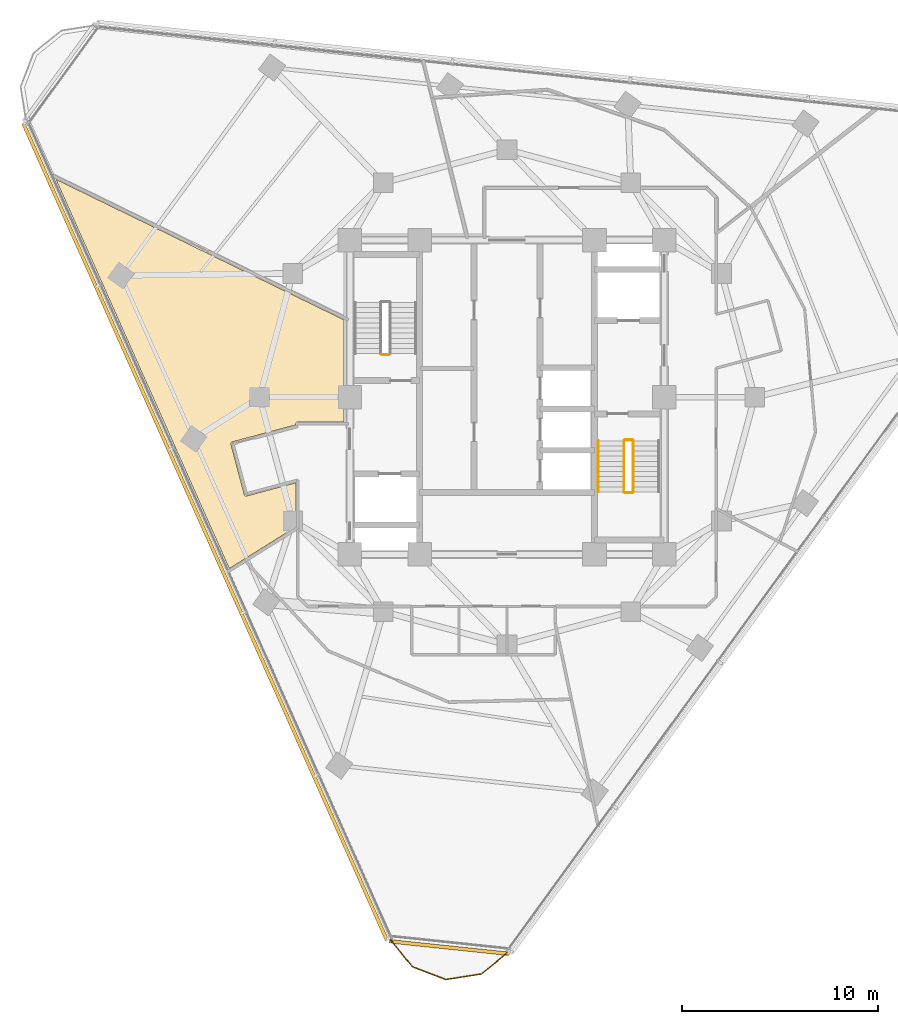
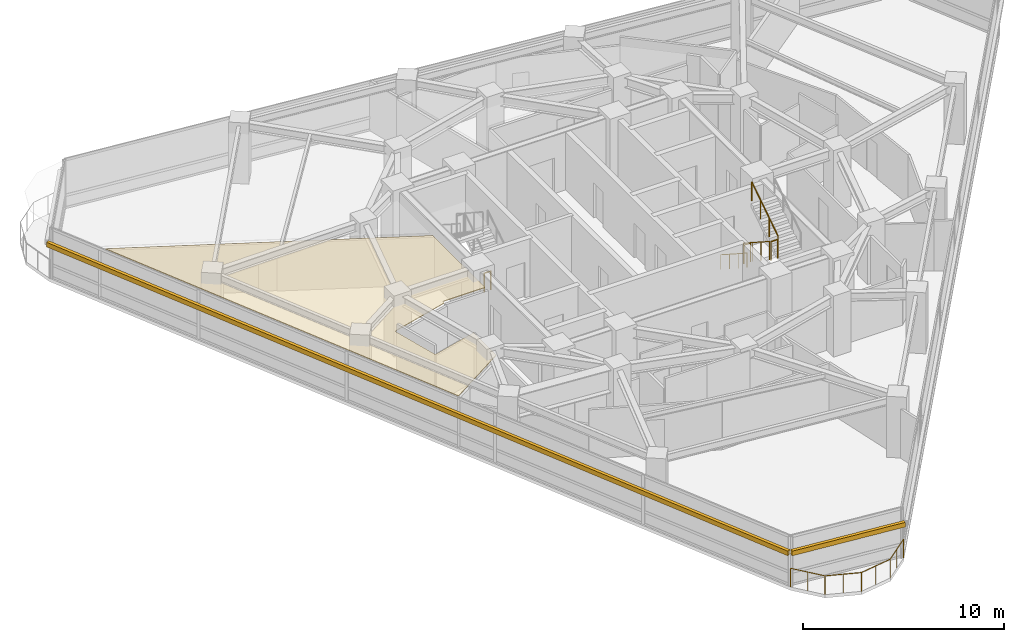
# One storey, part 12 of 14: 7 railings, 2 shading devices, 1 covering.
"""IFC4 building model written with IfcOpenShell, lengths in metres."""

import ifcopenshell
import ifcopenshell.guid

model = None  # the IFC model being written
_history = None  # IfcOwnerHistory: only IFC2X3 demands one
_inside = {}  # id of a spatial element -> (the spatial element, [elements in it])
_under = {}  # id of a project, library or spatial element -> (it, [spatial elements below it])
_declared = {}  # id of a project -> (the project, [libraries it declares])
_typed = {}  # id of a type object -> (the type object, [elements of that type])
_made_of = {}  # id of a material, layer set ... -> (it, [elements and type objects made of it])


def new_model(schema):
    """Start an empty IFC model of exactly this schema.

    Asked for "IFC4X3", IfcOpenShell would pick the latest addendum, in which some entities
    have other attributes; the version numbers below select the first issue.
    IFC2X3 requires an IfcOwnerHistory on every rooted entity: one is made here for all.
    """
    global model, _history
    if schema == "IFC4X3":
        model = ifcopenshell.file(schema_version=(4, 3, 0, 0))
    else:
        model = ifcopenshell.file(schema=schema)
    _inside.clear()
    _under.clear()
    _declared.clear()
    _typed.clear()
    _made_of.clear()
    _history = None
    if model.schema == "IFC2X3":
        org = make("IfcOrganization", Name="unknown")
        user = make(
            "IfcPersonAndOrganization",
            ThePerson=make("IfcPerson", FamilyName="unknown"),
            TheOrganization=org,
        )
        app = make(
            "IfcApplication",
            ApplicationDeveloper=org,
            Version="unknown",
            ApplicationFullName="unknown",
            ApplicationIdentifier="unknown",
        )
        _history = make(
            "IfcOwnerHistory",
            OwningUser=user,
            OwningApplication=app,
            ChangeAction="ADDED",
            CreationDate=0,
        )
    return model


def make(cls, **values):
    """One entity of the class cls with the attributes given. An attribute that is None is left unset."""
    return model.create_entity(
        cls, **{name: value for name, value in values.items() if value is not None}
    )


def rooted(cls, **values):
    """An entity with a GlobalId (a new one), such as an element, a storey or a relation."""
    return make(cls, GlobalId=ifcopenshell.guid.new(), OwnerHistory=_history, **values)


def si_unit(unit_type, name, prefix=None):
    """IfcSIUnit, for example si_unit("LENGTHUNIT", "METRE", prefix="MILLI")."""
    return make("IfcSIUnit", UnitType=unit_type, Prefix=prefix, Name=name)


def assignment(units):
    """IfcUnitAssignment: the units of a project."""
    return None if units is None else make("IfcUnitAssignment", Units=units)


def point(xyz):
    """IfcCartesianPoint."""
    return None if xyz is None else make("IfcCartesianPoint", Coordinates=xyz)


def direction(xyz):
    """IfcDirection."""
    return None if xyz is None else make("IfcDirection", DirectionRatios=xyz)


def frame(location, z_axis=None, x_axis=None):
    """IfcAxis2Placement3D, a coordinate frame: its origin and axes. An axis left out is left unset."""
    return make(
        "IfcAxis2Placement3D",
        Location=point(location),
        Axis=direction(z_axis),
        RefDirection=direction(x_axis),
    )


def frame_2d(location, x_axis=None):
    """IfcAxis2Placement2D, a coordinate frame in the plane: its origin and x axis."""
    return make(
        "IfcAxis2Placement2D", Location=point(location), RefDirection=direction(x_axis)
    )


def origin():
    """The frame at (0, 0, 0) with its axes left unset."""
    return frame((0.0, 0.0, 0.0))


def origin_2d():
    """The frame at (0, 0) in the plane with its x axis left unset."""
    return frame_2d((0.0, 0.0))


def place(relative_to, where):
    """IfcLocalPlacement: puts the frame where relative to a parent placement (None: the world)."""
    return make(
        "IfcLocalPlacement", PlacementRelTo=relative_to, RelativePlacement=where
    )


def context(
    kind, dimensions, precision=None, world=None, true_north=None, identifier=None
):
    """IfcGeometricRepresentationContext, for example the 3D "Model" context."""
    return make(
        "IfcGeometricRepresentationContext",
        ContextIdentifier=identifier,
        ContextType=kind,
        CoordinateSpaceDimension=dimensions,
        Precision=precision,
        WorldCoordinateSystem=world,
        TrueNorth=true_north,
    )


def subcontext(parent, identifier, kind, view, scale=None):
    """IfcGeometricRepresentationSubContext, for example "Body" below "Model"."""
    return make(
        "IfcGeometricRepresentationSubContext",
        ContextIdentifier=identifier,
        ContextType=kind,
        ParentContext=parent,
        TargetScale=scale,
        TargetView=view,
    )


def project(units=None, contexts=None):
    """IfcProject with its units and contexts."""
    return rooted(
        "IfcProject",
        Name="project",
        RepresentationContexts=contexts,
        UnitsInContext=assignment(units),
    )


def spatial(cls, under=None, at=None, **own):
    """A site, building, storey or space (cls), placed at a placement, below another one or the project."""
    s = rooted(cls, ObjectPlacement=at, **own)
    if under is not None:
        _under.setdefault(under.id(), (under, []))[1].append(s)
    return s


def polyline(points):
    """IfcPolyline through the points."""
    return make("IfcPolyline", Points=[point(p) for p in points])


def profile(cls, at=None, kind="AREA", **sizes):
    """A parametric profile (cls). Its sizes go by their IFC names, for example OverallWidth=200.0."""
    return make(cls, ProfileType=kind, Position=at, **sizes)


def rectangle(**sizes):
    """IfcRectangleProfileDef."""
    return profile("IfcRectangleProfileDef", **sizes)


def circle(**sizes):
    """IfcCircleProfileDef."""
    return profile("IfcCircleProfileDef", **sizes)


def outline(outer, holes=None, kind="AREA"):
    """IfcArbitraryClosedProfileDef: a profile drawn as a closed curve; with holes, ...WithVoids."""
    if holes is None:
        return make("IfcArbitraryClosedProfileDef", ProfileType=kind, OuterCurve=outer)
    return make(
        "IfcArbitraryProfileDefWithVoids",
        ProfileType=kind,
        OuterCurve=outer,
        InnerCurves=holes,
    )


def extrude(swept, where, along, depth):
    """IfcExtrudedAreaSolid: the profile swept, set in the frame where, extruded along a direction by depth."""
    return make(
        "IfcExtrudedAreaSolid",
        SweptArea=swept,
        Position=where,
        ExtrudedDirection=direction(along),
        Depth=depth,
    )


def shape(context_of_items, identifier, shape_type, items):
    """IfcShapeRepresentation: the items that make up one representation, for example the "Body"."""
    return make(
        "IfcShapeRepresentation",
        ContextOfItems=context_of_items,
        RepresentationIdentifier=identifier,
        RepresentationType=shape_type,
        Items=items,
    )


def material(Name=None, Category=None):
    """IfcMaterial."""
    return make("IfcMaterial", Name=Name, Category=Category)


def layer(
    of_material, thickness, ventilated=None, Name=None, Category=None, Priority=None
):
    """IfcMaterialLayer: one layer of a wall or slab, of a material (None: an air gap)."""
    return make(
        "IfcMaterialLayer",
        Material=of_material,
        LayerThickness=thickness,
        IsVentilated=ventilated,
        Name=Name,
        Category=Category,
        Priority=Priority,
    )


def layer_set(layers, Name=None):
    """IfcMaterialLayerSet."""
    return make("IfcMaterialLayerSet", MaterialLayers=layers, LayerSetName=Name)


def made_of(thing, what):
    """Note that an element or type object is made of a material, layer set ...; save() writes the relation."""
    if what is not None:
        _made_of.setdefault(what.id(), (what, []))[1].append(thing)
    return thing


def type_object(cls, material=None, **own):
    """A type object (cls), such as IfcWallType, which elements share."""
    return made_of(rooted(cls, **own), material)


def element(
    cls,
    number,
    at=None,
    inside=None,
    cuts=None,
    type_object=None,
    material=None,
    context=None,
    identifier="Body",
    shape_type=None,
    held_by="IfcProductDefinitionShape",
    body=None,
    shapes=None,
    **own,
):
    """One element of the class cls, such as IfcWall. Its Tag is "e" and its number.

    at: its placement. inside: the storey or other place that contains it. cuts: it is an
    opening in that element (IfcRelVoidsElement). A single representation is given by context,
    identifier, shape_type and body (its items); several are given by shapes. held_by: the class
    of the entity that holds the representations. save() writes the other relations.
    """
    e = rooted(cls, Tag="e%d" % number, ObjectPlacement=at, **own)
    if body is not None:
        shapes = [shape(context, identifier, shape_type, body)]
    if shapes is not None:
        e.Representation = make(held_by, Representations=shapes)
    if inside is not None:
        _inside.setdefault(inside.id(), (inside, []))[1].append(e)
    if cuts is not None:
        rooted(
            "IfcRelVoidsElement", RelatingBuildingElement=cuts, RelatedOpeningElement=e
        )
    if type_object is not None:
        _typed.setdefault(type_object.id(), (type_object, []))[1].append(e)
    return made_of(e, material)


def aggregate(whole, parts):
    """IfcRelAggregates: a whole, such as a stair, and the parts it consists of."""
    return rooted("IfcRelAggregates", RelatingObject=whole, RelatedObjects=parts)


def save(model, path):
    """Write the relations noted so far, then the file.

    IfcRelAggregates (storeys below a building ...), IfcRelContainedInSpatialStructure (elements
    in a storey), IfcRelDefinesByType, IfcRelAssociatesMaterial and IfcRelDeclares: one each for
    every whole, place, type object, material and project.
    """
    for whole, parts in _under.values():
        aggregate(whole, parts)
    for where, things in _inside.values():
        rooted(
            "IfcRelContainedInSpatialStructure",
            RelatedElements=things,
            RelatingStructure=where,
        )
    for kind, things in _typed.values():
        rooted("IfcRelDefinesByType", RelatedObjects=things, RelatingType=kind)
    for what, things in _made_of.values():
        rooted("IfcRelAssociatesMaterial", RelatedObjects=things, RelatingMaterial=what)
    for by, libraries in _declared.values():
        rooted("IfcRelDeclares", RelatingContext=by, RelatedDefinitions=libraries)
    model.write(path)


model = new_model("IFC4")

# Units and contexts
model_context = context("Model", 3, precision=1e-05, world=origin(), true_north=direction((0.0, 1.0)))
body_context = subcontext(model_context, "Body", "Model", "MODEL_VIEW")
ifc_project = project(units=[si_unit("LENGTHUNIT", "METRE"), si_unit("AREAUNIT", "SQUARE_METRE"), si_unit("VOLUMEUNIT", "CUBIC_METRE"), si_unit("PLANEANGLEUNIT", "RADIAN"), si_unit("MASSUNIT", "GRAM", prefix="KILO")], contexts=[model_context])

# Site, building, storey
site_placement = place(None, origin())
site = spatial("IfcSite", under=ifc_project, at=site_placement, CompositionType="ELEMENT")
building_placement = place(site_placement, origin())
building = spatial("IfcBuilding", under=site, at=building_placement, Name="Terralouvre Media Tower", CompositionType="ELEMENT")
storey_placement = place(building_placement, frame((0.0, 0.0, 222.60009765625)))
storey = spatial("IfcBuildingStorey", under=building, at=storey_placement, Name="L57", CompositionType="ELEMENT", Elevation=222.60009765625)

# Covering
ifc_material_1 = material(Name="Perforated aluminium acoustic ceiling baffle", Category="aluminium")
ifc_layer_1 = layer(ifc_material_1, 0.0400390625, Name="Perforated Acoustic Metal Tile Ceiling CL-AC1")
ifc_layer_set_1 = layer_set([ifc_layer_1], Name="Perforated aluminium acoustic ceiling baffle")
covering_type = type_object("IfcCoveringType", Name="Perforated Acoustic Metal Tile Ceiling CL-AC1", PredefinedType="CEILING", material=ifc_layer_set_1)
covering_placement = place(storey_placement, frame((0.0, 0.0, 2.97998046875), z_axis=(0.0, 0.0, 1.0), x_axis=(0.587785252292, 0.809016994375, 0.0)))
element("IfcCovering", 1, at=covering_placement, inside=storey, type_object=covering_type, Name="L57 Executive Dining Room 1 Acoustic Ceiling", PredefinedType="CEILING", context=body_context, shape_type="SweptSolid", body=[
    extrude(outline(polyline([(-11.657958984375, 4.81787109375), (-9.84228515625, 6.136962890625), (-11.8544921875, 7.766357421875), (-11.862060546875, 7.77294921875), (-11.86865234375, 7.7802734375), (-11.87451171875, 7.7880859375), (-11.879638671875, 7.79638671875), (-11.8837890625, 7.80517578125), (-11.88720703125, 7.814453125), (-11.8896484375, 7.823974609375), (-11.89111328125, 7.833740234375), (-11.8916015625, 7.843505859375), (-11.891357421875, 7.853271484375), (-11.889892578125, 7.863037109375), (-11.8876953125, 7.87255859375), (-11.88427734375, 7.8818359375), (-11.880126953125, 7.890625), (-11.875244140625, 7.899169921875), (-11.869384765625, 7.9072265625), (-10.200927734375, 9.966064453125), (-10.1943359375, 9.973388671875), (-10.187255859375, 9.97998046875), (-10.17919921875, 9.98583984375), (-10.1708984375, 9.990966796875), (-10.162109375, 9.9951171875), (-10.15283203125, 9.99853515625), (-10.143310546875, 10.0009765625), (-10.1337890625, 10.00244140625), (-10.123779296875, 10.003173828125), (-10.114013671875, 10.002685546875), (-10.104248046875, 10.001220703125), (-10.094970703125, 9.9990234375), (-10.08544921875, 9.99560546875), (-10.07666015625, 9.991455078125), (-10.068115234375, 9.986572265625), (-10.060302734375, 9.980712890625), (-7.45556640625, 7.870849609375), (-7.410888671875, 7.9033203125), (-7.402587890625, 7.90869140625), (-7.39404296875, 7.913330078125), (-7.384765625, 7.9169921875), (-7.37548828125, 7.919677734375), (-7.36572265625, 7.921630859375), (-7.35595703125, 7.92236328125), (-7.34619140625, 7.92236328125), (-7.33642578125, 7.92138671875), (-7.326904296875, 7.919189453125), (-7.317626953125, 7.916259765625), (-7.308349609375, 7.912353515625), (-7.2998046875, 7.90771484375), (-7.291748046875, 7.90234375), (-7.2841796875, 7.89599609375), (-7.27734375, 7.888916015625), (-7.271240234375, 7.88134765625), (-5.895751953125, 5.98828125), (-1.69580078125, 9.039794921875), (-4.525634765625, 25.0908203125), (-15.365478515625, 6.316162109375), (-14.535400390625, 5.98046875), (-11.657958984375, 4.81787109375)])), origin(), (0.0, 0.0, 1.0), 0.0400390625),
])

# Railings
ifc_material_2 = material(Name="Stainless steel 316 handrail and balustrade", Category="steel")
ifc_layer_2 = layer(ifc_material_2, 0.06005859375, Name="Roof Edge Safety Guardrail GR-ROOF1")
ifc_layer_set_2 = layer_set([ifc_layer_2], Name="Stainless steel 316 handrail and balustrade")
railing_type_1 = type_object("IfcRailingType", Name="Roof Edge Safety Guardrail GR-ROOF1", PredefinedType="GUARDRAIL", material=ifc_layer_set_2)
railing_1_placement = place(storey_placement, frame((-5.98583984375, -27.5546875, 0.0)))
element("IfcRailing", 2, at=railing_1_placement, inside=storey, type_object=railing_type_1, Name="L57 Wind-Corner Perimeter Safety Guardrail C0", PredefinedType="GUARDRAIL", context=body_context, shape_type="SweptSolid", body=[
    extrude(circle(Radius=0.02099609375, at=origin_2d()), frame((0.0, 0.0, 1.12890625), z_axis=(0.629125588714, -0.777303668861, 0.0), x_axis=(0.777303668861, 0.629125588714, 0.0)), (0.0, 0.0, 1.0), 1.837158203125),
    extrude(circle(Radius=0.02099609375, at=origin_2d()), frame((1.15576171875, -1.427978515625, 1.12890625), z_axis=(0.933530480619, -0.358498035915, 0.0), x_axis=(0.358498035915, 0.933530480619, 0.0)), (0.0, 0.0, 1.0), 1.836669921875),
    extrude(circle(Radius=0.02099609375, at=origin_2d()), frame((2.870361328125, -2.08642578125, 1.12890625), z_axis=(0.987666866591, 0.156569986387, 0.0), x_axis=(-0.156569986387, 0.987666866591, 0.0)), (0.0, 0.0, 1.0), 1.8369140625),
    extrude(circle(Radius=0.02099609375, at=origin_2d()), frame((4.6845703125, -1.798828125, 1.12890625), z_axis=(0.777015769995, 0.629481130122, 0.0), x_axis=(-0.629481130122, 0.777015769995, 0.0)), (0.0, 0.0, 1.0), 1.8369140625),
    extrude(circle(Radius=0.01904296875, at=origin_2d()), origin(), (0.0, 0.0, 1.0), 1.10791015625),
    extrude(circle(Radius=0.01904296875, at=origin_2d()), frame((0.577880859375, -0.7138671875, 0.0)), (0.0, 0.0, 1.0), 1.10791015625),
    extrude(circle(Radius=0.01904296875, at=origin_2d()), frame((1.15576171875, -1.427978515625, 0.0)), (0.0, 0.0, 1.0), 1.10791015625),
    extrude(circle(Radius=0.01904296875, at=origin_2d()), frame((2.01318359375, -1.75732421875, 0.0)), (0.0, 0.0, 1.0), 1.10791015625),
    extrude(circle(Radius=0.01904296875, at=origin_2d()), frame((2.870361328125, -2.08642578125, 0.0)), (0.0, 0.0, 1.0), 1.10791015625),
    extrude(circle(Radius=0.01904296875, at=origin_2d()), frame((3.77734375, -1.942626953125, 0.0)), (0.0, 0.0, 1.0), 1.10791015625),
    extrude(circle(Radius=0.01904296875, at=origin_2d()), frame((4.6845703125, -1.798828125, 0.0)), (0.0, 0.0, 1.0), 1.10791015625),
    extrude(circle(Radius=0.01904296875, at=origin_2d()), frame((5.398193359375, -1.220703125, 0.0)), (0.0, 0.0, 1.0), 1.10791015625),
    extrude(circle(Radius=0.01904296875, at=origin_2d()), frame((6.11181640625, -0.642578125, 0.0)), (0.0, 0.0, 1.0), 1.10791015625),
])
ifc_material_3 = material(Name="Stainless steel 316 handrail and balustrade", Category="steel")
ifc_layer_3 = layer(ifc_material_3, 0.050048828125, Name="Stair Flight Wall Handrail HR-INT1")
ifc_layer_set_3 = layer_set([ifc_layer_3], Name="Stainless steel 316 handrail and balustrade")
railing_type_2 = type_object("IfcRailingType", Name="Stair Flight Wall Handrail HR-INT1", PredefinedType="HANDRAIL", material=ifc_layer_set_3)
railing_2_placement = place(storey_placement, frame((4.64990234375, -2.219970703125, 0.16796875)))
element("IfcRailing", 3, at=railing_2_placement, inside=storey, type_object=railing_type_2, Name="L57 ST-02 stair handrail 1", PredefinedType="HANDRAIL", context=body_context, shape_type="SweptSolid", body=[
    extrude(circle(Radius=0.02392578125, at=origin_2d()), frame((0.0, 0.0, 0.8759765625), z_axis=(0.0, -0.839648411786, 0.543130320075), x_axis=(1.0, 0.0, 0.0)), (0.0, 0.0, 1.0), 3.0966796875),
    extrude(circle(Radius=0.02099609375, at=origin_2d()), origin(), (0.0, 0.0, 1.0), 0.851806640625),
    extrude(circle(Radius=0.02099609375, at=origin_2d()), frame((0.0, -0.86669921875, 0.560546875)), (0.0, 0.0, 1.0), 0.851806640625),
    extrude(circle(Radius=0.02099609375, at=origin_2d()), frame((0.0, -1.7333984375, 1.121337890625)), (0.0, 0.0, 1.0), 0.851806640625),
    extrude(circle(Radius=0.02099609375, at=origin_2d()), frame((0.0, -2.60009765625, 1.681884765625)), (0.0, 0.0, 1.0), 0.851806640625),
])
ifc_material_4 = material(Name="Stainless steel 316 handrail and balustrade", Category="steel")
ifc_layer_4 = layer(ifc_material_4, 0.050048828125, Name="Stairwell Safety Guardrail GR-INT1")
ifc_layer_set_4 = layer_set([ifc_layer_4], Name="Stainless steel 316 handrail and balustrade")
railing_type_3 = type_object("IfcRailingType", Name="Stairwell Safety Guardrail GR-INT1", PredefinedType="GUARDRAIL", material=ifc_layer_set_4)
railing_3_placement = place(storey_placement, frame((-6.0, 2.169921875, 0.0)))
element("IfcRailing", 4, at=railing_3_placement, inside=storey, type_object=railing_type_3, Name="L57 ST-01 stair guard 4", PredefinedType="GUARDRAIL", context=body_context, shape_type="SweptSolid", body=[
    extrude(circle(Radius=0.02392578125, at=origin_2d()), frame((0.0, 0.0, 1.1259765625), z_axis=(-1.0, 0.0, 0.0), x_axis=(0.0, -1.0, 0.0)), (0.0, 0.0, 1.0), 0.3798828125),
    extrude(circle(Radius=0.02099609375, at=origin_2d()), origin(), (0.0, 0.0, 1.0), 1.101806640625),
    extrude(circle(Radius=0.02099609375, at=origin_2d()), frame((-0.3798828125, 0.0, 0.0)), (0.0, 0.0, 1.0), 1.101806640625),
])
railing_4_placement = place(storey_placement, frame((5.949951171875, -2.219970703125, 0.16796875)))
element("IfcRailing", 5, at=railing_4_placement, inside=storey, type_object=railing_type_3, Name="L57 ST-02 stair guard 1", PredefinedType="GUARDRAIL", context=body_context, shape_type="SweptSolid", body=[
    extrude(circle(Radius=0.02392578125, at=origin_2d()), frame((0.0, 0.0, 1.1259765625), z_axis=(0.0, -0.839648411786, 0.543130320075), x_axis=(1.0, 0.0, 0.0)), (0.0, 0.0, 1.0), 3.0966796875),
    extrude(circle(Radius=0.02099609375, at=origin_2d()), origin(), (0.0, 0.0, 1.0), 1.101806640625),
    extrude(circle(Radius=0.02099609375, at=origin_2d()), frame((0.0, -0.86669921875, 0.560546875)), (0.0, 0.0, 1.0), 1.101806640625),
    extrude(circle(Radius=0.02099609375, at=origin_2d()), frame((0.0, -1.7333984375, 1.121337890625)), (0.0, 0.0, 1.0), 1.101806640625),
    extrude(circle(Radius=0.02099609375, at=origin_2d()), frame((0.0, -2.60009765625, 1.681884765625)), (0.0, 0.0, 1.0), 1.101806640625),
])
railing_5_placement = place(storey_placement, frame((6.0, -4.8701171875, 1.849853515625)))
element("IfcRailing", 6, at=railing_5_placement, inside=storey, type_object=railing_type_3, Name="L57 ST-02 stair guard 2", PredefinedType="GUARDRAIL", context=body_context, shape_type="SweptSolid", body=[
    extrude(circle(Radius=0.02392578125, at=origin_2d()), frame((0.0, 0.0, 1.1259765625), z_axis=(1.0, 0.0, 0.0), x_axis=(0.0, 1.0, 0.0)), (0.0, 0.0, 1.0), 0.3798828125),
    extrude(circle(Radius=0.02099609375, at=origin_2d()), origin(), (0.0, 0.0, 1.0), 1.101806640625),
    extrude(circle(Radius=0.02099609375, at=origin_2d()), frame((0.3798828125, 0.0, 0.0)), (0.0, 0.0, 1.0), 1.101806640625),
])
railing_6_placement = place(storey_placement, frame((6.429931640625, -4.820068359375, 2.01806640625)))
element("IfcRailing", 7, at=railing_6_placement, inside=storey, type_object=railing_type_3, Name="L57 ST-02 stair guard 3", PredefinedType="GUARDRAIL", context=body_context, shape_type="SweptSolid", body=[
    extrude(circle(Radius=0.02392578125, at=origin_2d()), frame((0.0, 0.0, 1.1259765625), z_axis=(0.0, 0.839648411786, 0.543130320075), x_axis=(-1.0, 0.0, 0.0)), (0.0, 0.0, 1.0), 3.0966796875),
    extrude(circle(Radius=0.02099609375, at=origin_2d()), origin(), (0.0, 0.0, 1.0), 1.101806640625),
    extrude(circle(Radius=0.02099609375, at=origin_2d()), frame((0.0, 0.86669921875, 0.560546875)), (0.0, 0.0, 1.0), 1.101806640625),
    extrude(circle(Radius=0.02099609375, at=origin_2d()), frame((0.0, 1.7333984375, 1.121337890625)), (0.0, 0.0, 1.0), 1.101806640625),
    extrude(circle(Radius=0.02099609375, at=origin_2d()), frame((0.0, 2.60009765625, 1.681884765625)), (0.0, 0.0, 1.0), 1.101806640625),
])
railing_7_placement = place(storey_placement, frame((6.0, -2.169921875, 0.0)))
element("IfcRailing", 8, at=railing_7_placement, inside=storey, type_object=railing_type_3, Name="L57 ST-02 stair guard 4", PredefinedType="GUARDRAIL", context=body_context, shape_type="SweptSolid", body=[
    extrude(circle(Radius=0.02392578125, at=origin_2d()), frame((0.0, 0.0, 1.1259765625), z_axis=(1.0, 0.0, 0.0), x_axis=(0.0, 1.0, 0.0)), (0.0, 0.0, 1.0), 0.3798828125),
    extrude(circle(Radius=0.02099609375, at=origin_2d()), origin(), (0.0, 0.0, 1.0), 1.101806640625),
    extrude(circle(Radius=0.02099609375, at=origin_2d()), frame((0.3798828125, 0.0, 0.0)), (0.0, 0.0, 1.0), 1.101806640625),
])

# Shading devices
ifc_material_5 = material(Name="Extruded terracotta baguette sunshade louvres", Category="masonry")
shading_device_type = type_object("IfcShadingDeviceType", Name="Terracotta Baguette Sunshade Louvre Screen TB-LV1", PredefinedType="USERDEFINED", material=ifc_material_5)
shading_device_1_placement = place(storey_placement, frame((-15.3701171875, -6.84326171875, 2.02392578125), z_axis=(0.0, 0.0, 1.0), x_axis=(0.406736679636, -0.913545441365, 0.0)))
element("IfcShadingDevice", 9, at=shading_device_1_placement, inside=storey, type_object=shading_device_type, Name="CW-L57-F2 Terracotta Baguette Sunshade Louvre", ObjectType="BAGUETTE", PredefinedType="USERDEFINED", context=body_context, shape_type="SweptSolid", body=[
    extrude(rectangle(XDim=45.5, YDim=0.179931640625, at=origin_2d()), origin(), (0.0, 0.0, 1.0), 0.280029296875),
])
shading_device_2_placement = place(storey_placement, frame((-2.944091796875, -28.01025390625, 2.02392578125), z_axis=(0.0, 0.0, 1.0), x_axis=(0.994521944551, -0.104527995322, 0.0)))
element("IfcShadingDevice", 10, at=shading_device_2_placement, inside=storey, type_object=shading_device_type, Name="CW-L57-C0 Terracotta Baguette Sunshade Louvre", ObjectType="BAGUETTE", PredefinedType="USERDEFINED", context=body_context, shape_type="SweptSolid", body=[
    extrude(rectangle(XDim=6.148681640625, YDim=0.179931640625, at=origin_2d()), origin(), (0.0, 0.0, 1.0), 0.280029296875),
])

save(model, "model.ifc")
